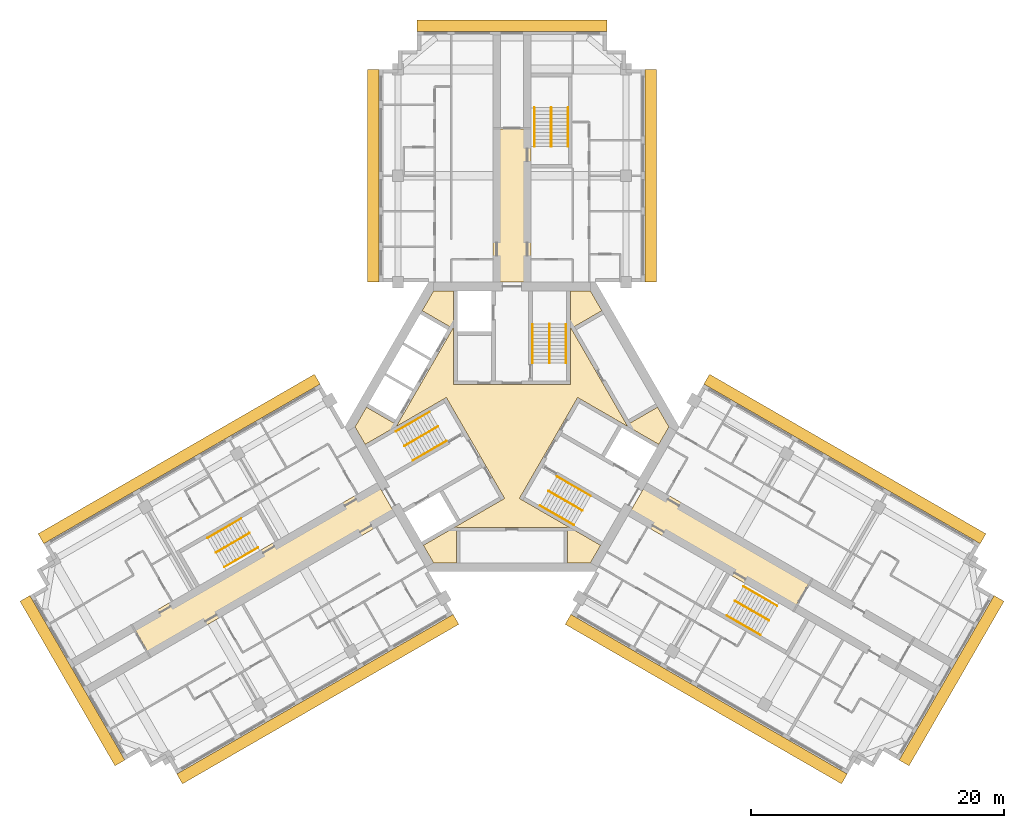
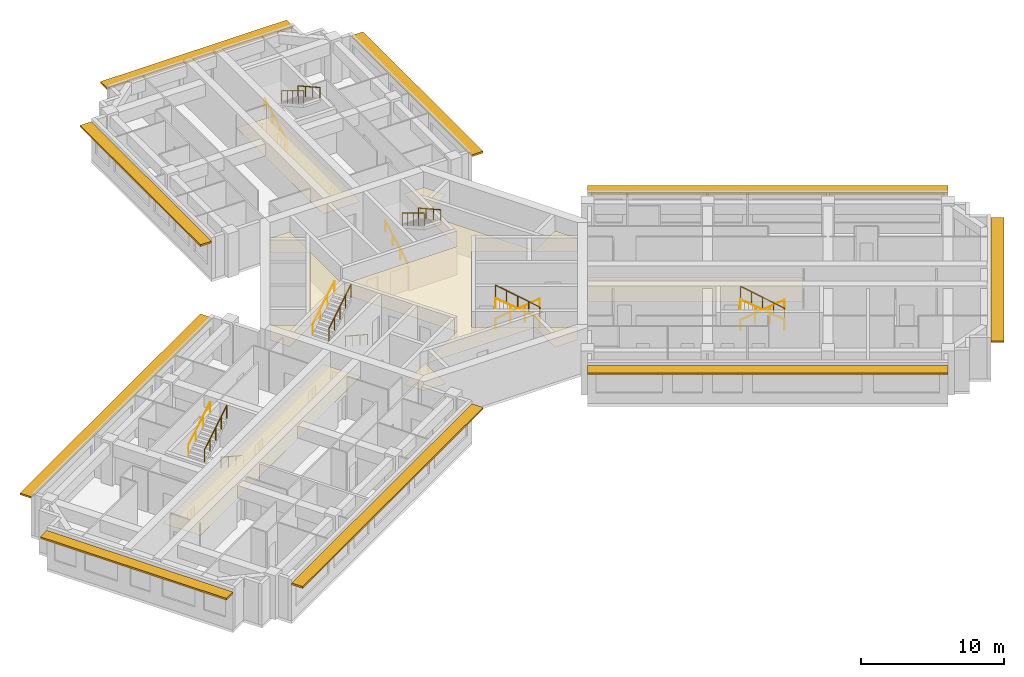
# One storey, part 11 of 11: 18 railings, 4 coverings, 3 shading devices.
"""IFC4 building model written with IfcOpenShell, lengths in metres."""

from ifc_helpers import new_model, si_unit, direction, frame, origin, origin_2d, place, context, subcontext, project, spatial, polyline, rectangle, circle, outline, extrude, material, layer, layer_set, type_object, element, save


model = new_model("IFC4")

# Units and contexts
model_context = context("Model", 3, precision=1e-05, world=origin(), true_north=direction((0.0, 1.0)))
body_context = subcontext(model_context, "Body", "Model", "MODEL_VIEW")
ifc_project = project(units=[si_unit("LENGTHUNIT", "METRE"), si_unit("AREAUNIT", "SQUARE_METRE"), si_unit("VOLUMEUNIT", "CUBIC_METRE"), si_unit("PLANEANGLEUNIT", "RADIAN"), si_unit("MASSUNIT", "GRAM", prefix="KILO")], contexts=[model_context])

# Site, building, storey
site_placement = place(None, origin())
site = spatial("IfcSite", under=ifc_project, at=site_placement, CompositionType="ELEMENT")
building_placement = place(site_placement, origin())
building = spatial("IfcBuilding", under=site, at=building_placement, Name="Impinga Residences", CompositionType="ELEMENT")
storey_placement = place(building_placement, frame((0.0, 0.0, 199.75)))
storey = spatial("IfcBuildingStorey", under=building, at=storey_placement, Name="L49", CompositionType="ELEMENT", Elevation=199.75)

# Coverings
ifc_material_1 = material(Name="Plasterboard 15 mm on steel hangers", Category="steel")
ifc_layer_1 = layer(ifc_material_1, 0.014892578125)
ifc_layer_set_1 = layer_set([ifc_layer_1], Name="Plasterboard 15 mm on steel hangers")
covering_type_1 = type_object("IfcCoveringType", Name="CL1 corridor ceiling, 15 mm plasterboard on hangers", PredefinedType="CEILING", material=ifc_layer_set_1)
covering_1_placement = place(storey_placement, frame((0.0, 0.0, 2.39990234375)))
element("IfcCovering", 1, at=covering_1_placement, inside=storey, type_object=covering_type_1, Name="Corridor ceiling CL1 L49-N00", PredefinedType="CEILING", context=body_context, shape_type="SweptSolid", body=[
    extrude(outline(polyline([(-1.5, 11.431640625), (1.5, 11.431640625), (1.5, 23.531494140625), (-1.5, 23.531494140625), (-1.5, 11.431640625)])), origin(), (0.0, 0.0, 1.0), 0.01513671875),
])
covering_2_placement = place(storey_placement, frame((0.0, 0.0, 2.39990234375)))
element("IfcCovering", 2, at=covering_2_placement, inside=storey, type_object=covering_type_1, Name="Corridor ceiling CL1 L49-W00", PredefinedType="CEILING", context=body_context, shape_type="SweptSolid", body=[
    extrude(outline(polyline([(-9.14990234375, -7.014892578125), (-10.64990234375, -4.416748046875), (-30.005615234375, -15.591796875), (-28.505615234375, -18.189697265625), (-9.14990234375, -7.014892578125)])), origin(), (0.0, 0.0, 1.0), 0.01513671875),
])
covering_3_placement = place(storey_placement, frame((0.0, 0.0, 2.39990234375)))
element("IfcCovering", 3, at=covering_3_placement, inside=storey, type_object=covering_type_1, Name="Corridor ceiling CL1 L49-E00", PredefinedType="CEILING", context=body_context, shape_type="SweptSolid", body=[
    extrude(outline(polyline([(9.14990234375, -7.014892578125), (10.64990234375, -4.416748046875), (23.681396484375, -11.9404296875), (22.181396484375, -14.53857421875), (9.14990234375, -7.014892578125)])), origin(), (0.0, 0.0, 1.0), 0.01513671875),
])
ifc_material_2 = material(Name="Mineral fibre tiles 20 mm on exposed grid", Category="mineral fibre")
ifc_layer_2 = layer(ifc_material_2, 0.02001953125)
ifc_layer_set_2 = layer_set([ifc_layer_2], Name="CL2 lift lobby ceiling, 20 mm mineral fibre tiles")
covering_type_2 = type_object("IfcCoveringType", Name="CL2 lift lobby ceiling, 20 mm mineral fibre tiles", PredefinedType="CEILING", material=ifc_layer_set_2)
covering_4_placement = place(storey_placement, frame((0.0, 0.0, 2.39990234375)))
element("IfcCovering", 4, at=covering_4_placement, inside=storey, type_object=covering_type_2, Name="Lift lobby ceiling CL2 L49-C01", PredefinedType="CEILING", context=body_context, shape_type="SweptSolid", body=[
    extrude(outline(polyline([(12.3916015625, 0.0), (11.59375, -1.382080078125), (5.183837890625, 2.318603515625), (0.583984375, -5.648681640625), (6.993896484375, -9.349365234375), (6.19580078125, -10.7314453125), (4.39990234375, -10.7314453125), (4.39990234375, -7.931640625), (-4.39990234375, -7.931640625), (-4.39990234375, -10.7314453125), (-6.19580078125, -10.7314453125), (-6.993896484375, -9.349365234375), (-0.583984375, -5.648681640625), (-5.183837890625, 2.318603515625), (-11.59375, -1.382080078125), (-12.3916015625, 0.0), (-11.493896484375, 1.55517578125), (-9.06884765625, 0.1552734375), (-4.6689453125, 7.7763671875), (-7.09375, 9.17626953125), (-6.19580078125, 10.7314453125), (-4.60009765625, 10.7314453125), (-4.60009765625, 3.330078125), (4.60009765625, 3.330078125), (4.60009765625, 10.7314453125), (6.19580078125, 10.7314453125), (7.09375, 9.17626953125), (4.6689453125, 7.7763671875), (9.06884765625, 0.1552734375), (11.493896484375, 1.55517578125), (12.3916015625, 0.0)])), origin(), (0.0, 0.0, 1.0), 0.02001953125),
])

# Railings
ifc_material_3 = material(Name="Steel guard, powder coated", Category="steel")
railing_type_1 = type_object("IfcRailingType", Name="GR1 stair guard 1100", PredefinedType="GUARDRAIL", material=ifc_material_3)
railing_1_placement = place(storey_placement, frame((2.949951171875, 8.110107421875, 1.875)))
element("IfcRailing", 5, at=railing_1_placement, inside=storey, type_object=railing_type_1, Name="Stair guard GR1 ST1 L49", PredefinedType="GUARDRAIL", context=body_context, shape_type="SweptSolid", body=[
    extrude(circle(Radius=0.02392578125, at=origin_2d()), frame((0.0, 0.0, 1.076171875), z_axis=(0.0, -0.854177636135, 0.519981313056), x_axis=(1.0, 0.0, 0.0)), (0.0, 0.0, 1.0), 3.60595703125),
    extrude(circle(Radius=0.02099609375, at=origin_2d()), origin(), (0.0, 0.0, 1.0), 1.052001953125),
    extrude(circle(Radius=0.02099609375, at=origin_2d()), frame((0.0, -0.77001953125, 0.46875)), (0.0, 0.0, 1.0), 1.052001953125),
    extrude(circle(Radius=0.02099609375, at=origin_2d()), frame((0.0, -1.5400390625, 0.9375)), (0.0, 0.0, 1.0), 1.052001953125),
    extrude(circle(Radius=0.02099609375, at=origin_2d()), frame((0.0, -2.31005859375, 1.40625)), (0.0, 0.0, 1.0), 1.052001953125),
    extrude(circle(Radius=0.02099609375, at=origin_2d()), frame((0.0, -3.080078125, 1.875)), (0.0, 0.0, 1.0), 1.052001953125),
])
railing_2_placement = place(storey_placement, frame((-8.49853515625, -1.500244140625, 1.875)))
element("IfcRailing", 6, at=railing_2_placement, inside=storey, type_object=railing_type_1, Name="Stair guard GR1 ST2 L49", PredefinedType="GUARDRAIL", context=body_context, shape_type="SweptSolid", body=[
    extrude(circle(Radius=0.02392578125, at=origin_2d()), frame((0.0, 0.0, 1.076171875), z_axis=(0.739746383972, 0.427084037168, 0.519975492303), x_axis=(-0.499992328818, 0.866029832698, 0.0)), (0.0, 0.0, 1.0), 3.60595703125),
    extrude(circle(Radius=0.02099609375, at=origin_2d()), origin(), (0.0, 0.0, 1.0), 1.052001953125),
    extrude(circle(Radius=0.02099609375, at=origin_2d()), frame((0.6669921875, 0.385009765625, 0.46875)), (0.0, 0.0, 1.0), 1.052001953125),
    extrude(circle(Radius=0.02099609375, at=origin_2d()), frame((1.333740234375, 0.77001953125, 0.9375)), (0.0, 0.0, 1.0), 1.052001953125),
    extrude(circle(Radius=0.02099609375, at=origin_2d()), frame((2.00048828125, 1.155029296875, 1.40625)), (0.0, 0.0, 1.0), 1.052001953125),
    extrude(circle(Radius=0.02099609375, at=origin_2d()), frame((2.66748046875, 1.5400390625, 1.875)), (0.0, 0.0, 1.0), 1.052001953125),
])
railing_3_placement = place(storey_placement, frame((5.548583984375, -6.60986328125, 1.875)))
element("IfcRailing", 7, at=railing_3_placement, inside=storey, type_object=railing_type_1, Name="Stair guard GR1 ST3 L49", PredefinedType="GUARDRAIL", context=body_context, shape_type="SweptSolid", body=[
    extrude(circle(Radius=0.02392578125, at=origin_2d()), frame((0.0, 0.0, 1.076171875), z_axis=(-0.739746383972, 0.427084037168, 0.519975492303), x_axis=(-0.499992328818, -0.866029832698, 0.0)), (0.0, 0.0, 1.0), 3.60595703125),
    extrude(circle(Radius=0.02099609375, at=origin_2d()), origin(), (0.0, 0.0, 1.0), 1.052001953125),
    extrude(circle(Radius=0.02099609375, at=origin_2d()), frame((-0.6669921875, 0.385009765625, 0.46875)), (0.0, 0.0, 1.0), 1.052001953125),
    extrude(circle(Radius=0.02099609375, at=origin_2d()), frame((-1.333740234375, 0.77001953125, 0.9375)), (0.0, 0.0, 1.0), 1.052001953125),
    extrude(circle(Radius=0.02099609375, at=origin_2d()), frame((-2.00048828125, 1.155029296875, 1.40625)), (0.0, 0.0, 1.0), 1.052001953125),
    extrude(circle(Radius=0.02099609375, at=origin_2d()), frame((-2.66748046875, 1.5400390625, 1.875)), (0.0, 0.0, 1.0), 1.052001953125),
])
railing_4_placement = place(storey_placement, frame((3.10009765625, 25.21142578125, 1.875)))
element("IfcRailing", 8, at=railing_4_placement, inside=storey, type_object=railing_type_1, Name="Stair guard GR1 WS1 L49", PredefinedType="GUARDRAIL", context=body_context, shape_type="SweptSolid", body=[
    extrude(circle(Radius=0.02392578125, at=origin_2d()), frame((0.0, 0.0, 1.076171875), z_axis=(0.0, -0.854159328187, 0.520011386482), x_axis=(1.0, 0.0, 0.0)), (0.0, 0.0, 1.0), 3.605712890625),
    extrude(circle(Radius=0.02099609375, at=origin_2d()), origin(), (0.0, 0.0, 1.0), 1.052001953125),
    extrude(circle(Radius=0.02099609375, at=origin_2d()), frame((0.0, -0.77001953125, 0.46875)), (0.0, 0.0, 1.0), 1.052001953125),
    extrude(circle(Radius=0.02099609375, at=origin_2d()), frame((0.0, -1.5400390625, 0.9375)), (0.0, 0.0, 1.0), 1.052001953125),
    extrude(circle(Radius=0.02099609375, at=origin_2d()), frame((0.0, -2.309814453125, 1.40625)), (0.0, 0.0, 1.0), 1.052001953125),
    extrude(circle(Radius=0.02099609375, at=origin_2d()), frame((0.0, -3.079833984375, 1.875)), (0.0, 0.0, 1.0), 1.052001953125),
])
railing_5_placement = place(storey_placement, frame((-23.3837890625, -9.921142578125, 1.875)))
element("IfcRailing", 9, at=railing_5_placement, inside=storey, type_object=railing_type_1, Name="Stair guard GR1 WS2 L49", PredefinedType="GUARDRAIL", context=body_context, shape_type="SweptSolid", body=[
    extrude(circle(Radius=0.02392578125, at=origin_2d()), frame((0.0, 0.0, 1.076171875), z_axis=(0.739715726454, 0.427105428144, 0.52000153585), x_axis=(-0.500026652407, 0.866010015463, 0.0)), (0.0, 0.0, 1.0), 3.605712890625),
    extrude(circle(Radius=0.02099609375, at=origin_2d()), origin(), (0.0, 0.0, 1.0), 1.052001953125),
    extrude(circle(Radius=0.02099609375, at=origin_2d()), frame((0.666748046875, 0.385009765625, 0.46875)), (0.0, 0.0, 1.0), 1.052001953125),
    extrude(circle(Radius=0.02099609375, at=origin_2d()), frame((1.33349609375, 0.77001953125, 0.9375)), (0.0, 0.0, 1.0), 1.052001953125),
    extrude(circle(Radius=0.02099609375, at=origin_2d()), frame((2.00048828125, 1.155029296875, 1.40625)), (0.0, 0.0, 1.0), 1.052001953125),
    extrude(circle(Radius=0.02099609375, at=origin_2d()), frame((2.667236328125, 1.5400390625, 1.875)), (0.0, 0.0, 1.0), 1.052001953125),
])
railing_6_placement = place(storey_placement, frame((20.283935546875, -15.29052734375, 1.875)))
element("IfcRailing", 10, at=railing_6_placement, inside=storey, type_object=railing_type_1, Name="Stair guard GR1 WS3 L49", PredefinedType="GUARDRAIL", context=body_context, shape_type="SweptSolid", body=[
    extrude(circle(Radius=0.02392578125, at=origin_2d()), frame((0.0, 0.0, 1.076171875), z_axis=(-0.739746383972, 0.427084037168, 0.519975492303), x_axis=(-0.499992328818, -0.866029832698, 0.0)), (0.0, 0.0, 1.0), 3.60595703125),
    extrude(circle(Radius=0.02099609375, at=origin_2d()), origin(), (0.0, 0.0, 1.0), 1.052001953125),
    extrude(circle(Radius=0.02099609375, at=origin_2d()), frame((-0.6669921875, 0.385009765625, 0.46875)), (0.0, 0.0, 1.0), 1.052001953125),
    extrude(circle(Radius=0.02099609375, at=origin_2d()), frame((-1.333740234375, 0.77001953125, 0.9375)), (0.0, 0.0, 1.0), 1.052001953125),
    extrude(circle(Radius=0.02099609375, at=origin_2d()), frame((-2.00048828125, 1.155029296875, 1.40625)), (0.0, 0.0, 1.0), 1.052001953125),
    extrude(circle(Radius=0.02099609375, at=origin_2d()), frame((-2.66748046875, 1.5400390625, 1.875)), (0.0, 0.0, 1.0), 1.052001953125),
])
ifc_material_4 = material(Name="Steel handrail tube 42 mm, powder coated", Category="steel")
railing_type_2 = type_object("IfcRailingType", Name="HR1 stair handrail, 42 mm steel tube, 900 above the pitch line", PredefinedType="HANDRAIL", material=ifc_material_4)
railing_7_placement = place(storey_placement, frame((1.62109375, 5.030029296875, 0.15625)))
element("IfcRailing", 11, at=railing_7_placement, inside=storey, type_object=railing_type_2, Name="Stair handrail HR1 ST1 L49", PredefinedType="HANDRAIL", context=body_context, shape_type="SweptSolid", body=[
    extrude(circle(Radius=0.02099609375, at=origin_2d()), frame((0.0, 0.0, 0.87890625), z_axis=(0.0, 0.873241540666, 0.487287606713), x_axis=(-1.0, 0.0, 0.0)), (0.0, 0.0, 1.0), 3.527099609375),
    extrude(circle(Radius=0.012451171875, at=origin_2d()), origin(), (0.0, 0.0, 1.0), 0.85791015625),
    extrude(circle(Radius=0.012451171875, at=origin_2d()), frame((0.0, 1.026611328125, 0.572998046875)), (0.0, 0.0, 1.0), 0.85791015625),
    extrude(circle(Radius=0.012451171875, at=origin_2d()), frame((0.0, 2.053466796875, 1.145751953125)), (0.0, 0.0, 1.0), 0.85791015625),
    extrude(circle(Radius=0.012451171875, at=origin_2d()), frame((0.0, 3.080078125, 1.71875)), (0.0, 0.0, 1.0), 0.85791015625),
])
railing_8_placement = place(storey_placement, frame((4.279052734375, 8.110107421875, 2.03125)))
element("IfcRailing", 12, at=railing_8_placement, inside=storey, type_object=railing_type_2, Name="Stair handrail HR1 ST1 L49", PredefinedType="HANDRAIL", context=body_context, shape_type="SweptSolid", body=[
    extrude(circle(Radius=0.02099609375, at=origin_2d()), frame((0.0, 0.0, 0.87890625), z_axis=(0.0, -0.873241540666, 0.487287606713), x_axis=(1.0, 0.0, 0.0)), (0.0, 0.0, 1.0), 3.527099609375),
    extrude(circle(Radius=0.012451171875, at=origin_2d()), origin(), (0.0, 0.0, 1.0), 0.85791015625),
    extrude(circle(Radius=0.012451171875, at=origin_2d()), frame((0.0, -1.026611328125, 0.572998046875)), (0.0, 0.0, 1.0), 0.85791015625),
    extrude(circle(Radius=0.012451171875, at=origin_2d()), frame((0.0, -2.053466796875, 1.145751953125)), (0.0, 0.0, 1.0), 0.85791015625),
    extrude(circle(Radius=0.012451171875, at=origin_2d()), frame((0.0, -3.080078125, 1.71875)), (0.0, 0.0, 1.0), 0.85791015625),
])
railing_9_placement = place(storey_placement, frame((-5.16650390625, -1.111083984375, 0.15625)))
element("IfcRailing", 13, at=railing_9_placement, inside=storey, type_object=railing_type_2, Name="Stair handrail HR1 ST2 L49", PredefinedType="HANDRAIL", context=body_context, shape_type="SweptSolid", body=[
    extrude(circle(Radius=0.02099609375, at=origin_2d()), frame((0.0, 0.0, 0.87890625), z_axis=(-0.756255980417, -0.436615662133, 0.487281905742), x_axis=(0.499992328818, -0.866029832698, 0.0)), (0.0, 0.0, 1.0), 3.527099609375),
    extrude(circle(Radius=0.012451171875, at=origin_2d()), origin(), (0.0, 0.0, 1.0), 0.85791015625),
    extrude(circle(Radius=0.012451171875, at=origin_2d()), frame((-0.88916015625, -0.513427734375, 0.572998046875)), (0.0, 0.0, 1.0), 0.85791015625),
    extrude(circle(Radius=0.012451171875, at=origin_2d()), frame((-1.7783203125, -1.026611328125, 1.145751953125)), (0.0, 0.0, 1.0), 0.85791015625),
    extrude(circle(Radius=0.012451171875, at=origin_2d()), frame((-2.66748046875, -1.5400390625, 1.71875)), (0.0, 0.0, 1.0), 0.85791015625),
])
railing_10_placement = place(storey_placement, frame((-9.1630859375, -0.349365234375, 2.03125)))
element("IfcRailing", 14, at=railing_10_placement, inside=storey, type_object=railing_type_2, Name="Stair handrail HR1 ST2 L49", PredefinedType="HANDRAIL", context=body_context, shape_type="SweptSolid", body=[
    extrude(circle(Radius=0.02099609375, at=origin_2d()), frame((0.0, 0.0, 0.87890625), z_axis=(0.756255980417, 0.436615662133, 0.487281905742), x_axis=(-0.499992328818, 0.866029832698, 0.0)), (0.0, 0.0, 1.0), 3.527099609375),
    extrude(circle(Radius=0.012451171875, at=origin_2d()), origin(), (0.0, 0.0, 1.0), 0.85791015625),
    extrude(circle(Radius=0.012451171875, at=origin_2d()), frame((0.88916015625, 0.513427734375, 0.572998046875)), (0.0, 0.0, 1.0), 0.85791015625),
    extrude(circle(Radius=0.012451171875, at=origin_2d()), frame((1.7783203125, 1.026611328125, 1.145751953125)), (0.0, 0.0, 1.0), 0.85791015625),
    extrude(circle(Radius=0.012451171875, at=origin_2d()), frame((2.66748046875, 1.5400390625, 1.71875)), (0.0, 0.0, 1.0), 0.85791015625),
])
railing_11_placement = place(storey_placement, frame((3.545654296875, -3.9189453125, 0.15625)))
element("IfcRailing", 15, at=railing_11_placement, inside=storey, type_object=railing_type_2, Name="Stair handrail HR1 ST3 L49", PredefinedType="HANDRAIL", context=body_context, shape_type="SweptSolid", body=[
    extrude(circle(Radius=0.02099609375, at=origin_2d()), frame((0.0, 0.0, 0.87890625), z_axis=(0.756249203677, -0.436582492228, 0.487322141317), x_axis=(0.499967199496, 0.866044340336, 0.0)), (0.0, 0.0, 1.0), 3.52685546875),
    extrude(circle(Radius=0.012451171875, at=origin_2d()), origin(), (0.0, 0.0, 1.0), 0.85791015625),
    extrude(circle(Radius=0.012451171875, at=origin_2d()), frame((0.88916015625, -0.51318359375, 0.572998046875)), (0.0, 0.0, 1.0), 0.85791015625),
    extrude(circle(Radius=0.012451171875, at=origin_2d()), frame((1.778076171875, -1.026611328125, 1.145751953125)), (0.0, 0.0, 1.0), 0.85791015625),
    extrude(circle(Radius=0.012451171875, at=origin_2d()), frame((2.667236328125, -1.539794921875, 1.71875)), (0.0, 0.0, 1.0), 0.85791015625),
])
railing_12_placement = place(storey_placement, frame((4.884033203125, -7.7607421875, 2.03125)))
element("IfcRailing", 16, at=railing_12_placement, inside=storey, type_object=railing_type_2, Name="Stair handrail HR1 ST3 L49", PredefinedType="HANDRAIL", context=body_context, shape_type="SweptSolid", body=[
    extrude(circle(Radius=0.02099609375, at=origin_2d()), frame((0.0, 0.0, 0.87890625), z_axis=(-0.756255980417, 0.436615662133, 0.487281905742), x_axis=(-0.499992328818, -0.866029832698, 0.0)), (0.0, 0.0, 1.0), 3.527099609375),
    extrude(circle(Radius=0.012451171875, at=origin_2d()), origin(), (0.0, 0.0, 1.0), 0.85791015625),
    extrude(circle(Radius=0.012451171875, at=origin_2d()), frame((-0.88916015625, 0.513427734375, 0.572998046875)), (0.0, 0.0, 1.0), 0.85791015625),
    extrude(circle(Radius=0.012451171875, at=origin_2d()), frame((-1.7783203125, 1.026611328125, 1.145751953125)), (0.0, 0.0, 1.0), 0.85791015625),
    extrude(circle(Radius=0.012451171875, at=origin_2d()), frame((-2.66748046875, 1.5400390625, 1.71875)), (0.0, 0.0, 1.0), 0.85791015625),
])
railing_13_placement = place(storey_placement, frame((1.77099609375, 22.131591796875, 0.15625)))
element("IfcRailing", 17, at=railing_13_placement, inside=storey, type_object=railing_type_2, Name="Stair handrail HR1 WS1 L49", PredefinedType="HANDRAIL", context=body_context, shape_type="SweptSolid", body=[
    extrude(circle(Radius=0.02099609375, at=origin_2d()), frame((0.0, 0.0, 0.87890625), z_axis=(0.0, 0.873225103656, 0.487317061414), x_axis=(-1.0, 0.0, 0.0)), (0.0, 0.0, 1.0), 3.52685546875),
    extrude(circle(Radius=0.012451171875, at=origin_2d()), origin(), (0.0, 0.0, 1.0), 0.85791015625),
    extrude(circle(Radius=0.012451171875, at=origin_2d()), frame((0.0, 1.026611328125, 0.572998046875)), (0.0, 0.0, 1.0), 0.85791015625),
    extrude(circle(Radius=0.012451171875, at=origin_2d()), frame((0.0, 2.05322265625, 1.145751953125)), (0.0, 0.0, 1.0), 0.85791015625),
    extrude(circle(Radius=0.012451171875, at=origin_2d()), frame((0.0, 3.079833984375, 1.71875)), (0.0, 0.0, 1.0), 0.85791015625),
])
railing_14_placement = place(storey_placement, frame((4.428955078125, 25.21142578125, 2.03125)))
element("IfcRailing", 18, at=railing_14_placement, inside=storey, type_object=railing_type_2, Name="Stair handrail HR1 WS1 L49", PredefinedType="HANDRAIL", context=body_context, shape_type="SweptSolid", body=[
    extrude(circle(Radius=0.02099609375, at=origin_2d()), frame((0.0, 0.0, 0.87890625), z_axis=(0.0, -0.873225103656, 0.487317061414), x_axis=(1.0, 0.0, 0.0)), (0.0, 0.0, 1.0), 3.52685546875),
    extrude(circle(Radius=0.012451171875, at=origin_2d()), origin(), (0.0, 0.0, 1.0), 0.85791015625),
    extrude(circle(Radius=0.012451171875, at=origin_2d()), frame((0.0, -1.026611328125, 0.572998046875)), (0.0, 0.0, 1.0), 0.85791015625),
    extrude(circle(Radius=0.012451171875, at=origin_2d()), frame((0.0, -2.05322265625, 1.145751953125)), (0.0, 0.0, 1.0), 0.85791015625),
    extrude(circle(Radius=0.012451171875, at=origin_2d()), frame((0.0, -3.079833984375, 1.71875)), (0.0, 0.0, 1.0), 0.85791015625),
])
railing_15_placement = place(storey_placement, frame((-20.052001953125, -9.531982421875, 0.15625)))
element("IfcRailing", 19, at=railing_15_placement, inside=storey, type_object=railing_type_2, Name="Stair handrail HR1 WS2 L49", PredefinedType="HANDRAIL", context=body_context, shape_type="SweptSolid", body=[
    extrude(circle(Radius=0.02099609375, at=origin_2d()), frame((0.0, 0.0, 0.87890625), z_axis=(-0.756226348243, -0.436638517594, 0.487307413422), x_axis=(0.500026652407, -0.866010015463, 0.0)), (0.0, 0.0, 1.0), 3.527099609375),
    extrude(circle(Radius=0.012451171875, at=origin_2d()), origin(), (0.0, 0.0, 1.0), 0.85791015625),
    extrude(circle(Radius=0.012451171875, at=origin_2d()), frame((-0.88916015625, -0.513427734375, 0.572998046875)), (0.0, 0.0, 1.0), 0.85791015625),
    extrude(circle(Radius=0.012451171875, at=origin_2d()), frame((-1.778076171875, -1.026611328125, 1.145751953125)), (0.0, 0.0, 1.0), 0.85791015625),
    extrude(circle(Radius=0.012451171875, at=origin_2d()), frame((-2.667236328125, -1.5400390625, 1.71875)), (0.0, 0.0, 1.0), 0.85791015625),
])
railing_16_placement = place(storey_placement, frame((-24.04833984375, -8.77001953125, 2.03125)))
element("IfcRailing", 20, at=railing_16_placement, inside=storey, type_object=railing_type_2, Name="Stair handrail HR1 WS2 L49", PredefinedType="HANDRAIL", context=body_context, shape_type="SweptSolid", body=[
    extrude(circle(Radius=0.02099609375, at=origin_2d()), frame((0.0, 0.0, 0.87890625), z_axis=(0.756278834354, 0.436559638319, 0.487296631324), x_axis=(-0.499932877268, 0.866064153644, 0.0)), (0.0, 0.0, 1.0), 3.527099609375),
    extrude(circle(Radius=0.012451171875, at=origin_2d()), origin(), (0.0, 0.0, 1.0), 0.85791015625),
    extrude(circle(Radius=0.012451171875, at=origin_2d()), frame((0.88916015625, 0.51318359375, 0.572998046875)), (0.0, 0.0, 1.0), 0.85791015625),
    extrude(circle(Radius=0.012451171875, at=origin_2d()), frame((1.7783203125, 1.026611328125, 1.145751953125)), (0.0, 0.0, 1.0), 0.85791015625),
    extrude(circle(Radius=0.012451171875, at=origin_2d()), frame((2.66748046875, 1.539794921875, 1.71875)), (0.0, 0.0, 1.0), 0.85791015625),
])
railing_17_placement = place(storey_placement, frame((18.281005859375, -12.599609375, 0.15625)))
element("IfcRailing", 21, at=railing_17_placement, inside=storey, type_object=railing_type_2, Name="Stair handrail HR1 WS3 L49", PredefinedType="HANDRAIL", context=body_context, shape_type="SweptSolid", body=[
    extrude(circle(Radius=0.02099609375, at=origin_2d()), frame((0.0, 0.0, 0.87890625), z_axis=(0.756249203677, -0.436582492228, 0.487322141317), x_axis=(0.499967199496, 0.866044340336, 0.0)), (0.0, 0.0, 1.0), 3.52685546875),
    extrude(circle(Radius=0.012451171875, at=origin_2d()), origin(), (0.0, 0.0, 1.0), 0.85791015625),
    extrude(circle(Radius=0.012451171875, at=origin_2d()), frame((0.88916015625, -0.51318359375, 0.572998046875)), (0.0, 0.0, 1.0), 0.85791015625),
    extrude(circle(Radius=0.012451171875, at=origin_2d()), frame((1.778076171875, -1.026611328125, 1.145751953125)), (0.0, 0.0, 1.0), 0.85791015625),
    extrude(circle(Radius=0.012451171875, at=origin_2d()), frame((2.667236328125, -1.539794921875, 1.71875)), (0.0, 0.0, 1.0), 0.85791015625),
])
railing_18_placement = place(storey_placement, frame((19.619384765625, -16.44140625, 2.03125)))
element("IfcRailing", 22, at=railing_18_placement, inside=storey, type_object=railing_type_2, Name="Stair handrail HR1 WS3 L49", PredefinedType="HANDRAIL", context=body_context, shape_type="SweptSolid", body=[
    extrude(circle(Radius=0.02099609375, at=origin_2d()), frame((0.0, 0.0, 0.87890625), z_axis=(-0.756255980417, 0.436615662133, 0.487281905742), x_axis=(-0.499992328818, -0.866029832698, 0.0)), (0.0, 0.0, 1.0), 3.527099609375),
    extrude(circle(Radius=0.012451171875, at=origin_2d()), origin(), (0.0, 0.0, 1.0), 0.85791015625),
    extrude(circle(Radius=0.012451171875, at=origin_2d()), frame((-0.88916015625, 0.513427734375, 0.572998046875)), (0.0, 0.0, 1.0), 0.85791015625),
    extrude(circle(Radius=0.012451171875, at=origin_2d()), frame((-1.7783203125, 1.026611328125, 1.145751953125)), (0.0, 0.0, 1.0), 0.85791015625),
    extrude(circle(Radius=0.012451171875, at=origin_2d()), frame((-2.66748046875, 1.5400390625, 1.71875)), (0.0, 0.0, 1.0), 0.85791015625),
])

# Shading devices
ifc_material_5 = material(Name="Terracotta sunshade blades on aluminium brackets", Category="masonry")
ifc_layer_3 = layer(ifc_material_5, 0.14990234375)
ifc_layer_set_3 = layer_set([ifc_layer_3], Name="SS1 SUNSHADE terracotta sunshade band 900")
shading_device_type = type_object("IfcShadingDeviceType", Name="SS1 SUNSHADE terracotta sunshade band 900", PredefinedType="USERDEFINED", material=ifc_layer_set_3)
shading_device_1_placement = place(storey_placement, frame((-10.949951171875, 19.83154296875, 3.10009765625), z_axis=(0.0, 0.0, 1.0), x_axis=(0.0, 1.0, 0.0)))
element("IfcShadingDevice", 23, at=shading_device_1_placement, inside=storey, type_object=shading_device_type, Name="SUNSHADE band L49 NORTH WING", ObjectType="SUNSHADE", PredefinedType="USERDEFINED", context=body_context, shape_type="SweptSolid", body=[
    extrude(rectangle(XDim=16.800048828125, YDim=0.89990234375, at=origin_2d()), origin(), (0.0, 0.0, 1.0), 0.14990234375),
    extrude(rectangle(XDim=15.0, YDim=0.89990234375, at=origin_2d()), frame((11.85009765625, -10.949951171875, 0.0), z_axis=(0.0, 0.0, 1.0), x_axis=(0.0, -1.0, 0.0)), (0.0, 0.0, 1.0), 0.14990234375),
    extrude(rectangle(XDim=16.800048828125, YDim=0.89990234375, at=origin_2d()), frame((0.0, -21.89990234375, 0.0), z_axis=(0.0, 0.0, 1.0), x_axis=(-1.0, 0.0, 0.0)), (0.0, 0.0, 1.0), 0.14990234375),
])
shading_device_2_placement = place(storey_placement, frame((-34.711669921875, -20.040771484375, 3.10009765625), z_axis=(0.0, 0.0, 1.0), x_axis=(-0.5, 0.866025403784, 0.0)))
element("IfcShadingDevice", 24, at=shading_device_2_placement, inside=storey, type_object=shading_device_type, Name="SUNSHADE band L49 WEST WING", ObjectType="SUNSHADE", PredefinedType="USERDEFINED", context=body_context, shape_type="SweptSolid", body=[
    extrude(rectangle(XDim=15.0, YDim=0.89990234375, at=origin_2d()), origin(), (0.0, 0.0, 1.0), 0.14990234375),
    extrude(rectangle(XDim=25.199951171875, YDim=0.89990234375, at=origin_2d()), frame((10.949951171875, -16.050048828125, 0.0), z_axis=(0.0, 0.0, 1.0), x_axis=(0.0, -1.0, 0.0)), (0.0, 0.0, 1.0), 0.14990234375),
    extrude(rectangle(XDim=25.199951171875, YDim=0.89990234375, at=origin_2d()), frame((-10.949951171875, -16.050048828125, 0.0), z_axis=(0.0, 0.0, 1.0), x_axis=(0.0, 1.0, 0.0)), (0.0, 0.0, 1.0), 0.14990234375),
])
shading_device_3_placement = place(storey_placement, frame((26.286865234375, -2.53271484375, 3.10009765625), z_axis=(0.0, 0.0, 1.0), x_axis=(0.866025403784, -0.5, 0.0)))
element("IfcShadingDevice", 25, at=shading_device_3_placement, inside=storey, type_object=shading_device_type, Name="SUNSHADE band L49 EAST WING", ObjectType="SUNSHADE", PredefinedType="USERDEFINED", context=body_context, shape_type="SweptSolid", body=[
    extrude(rectangle(XDim=25.199951171875, YDim=0.89990234375, at=origin_2d()), origin(), (0.0, 0.0, 1.0), 0.14990234375),
    extrude(rectangle(XDim=15.0, YDim=0.89990234375, at=origin_2d()), frame((16.050048828125, -10.949951171875, 0.0), z_axis=(0.0, 0.0, 1.0), x_axis=(0.0, -1.0, 0.0)), (0.0, 0.0, 1.0), 0.14990234375),
    extrude(rectangle(XDim=25.199951171875, YDim=0.89990234375, at=origin_2d()), frame((0.0, -21.900146484375, 0.0), z_axis=(0.0, 0.0, 1.0), x_axis=(-1.0, 0.0, 0.0)), (0.0, 0.0, 1.0), 0.14990234375),
])

save(model, "model.ifc")
